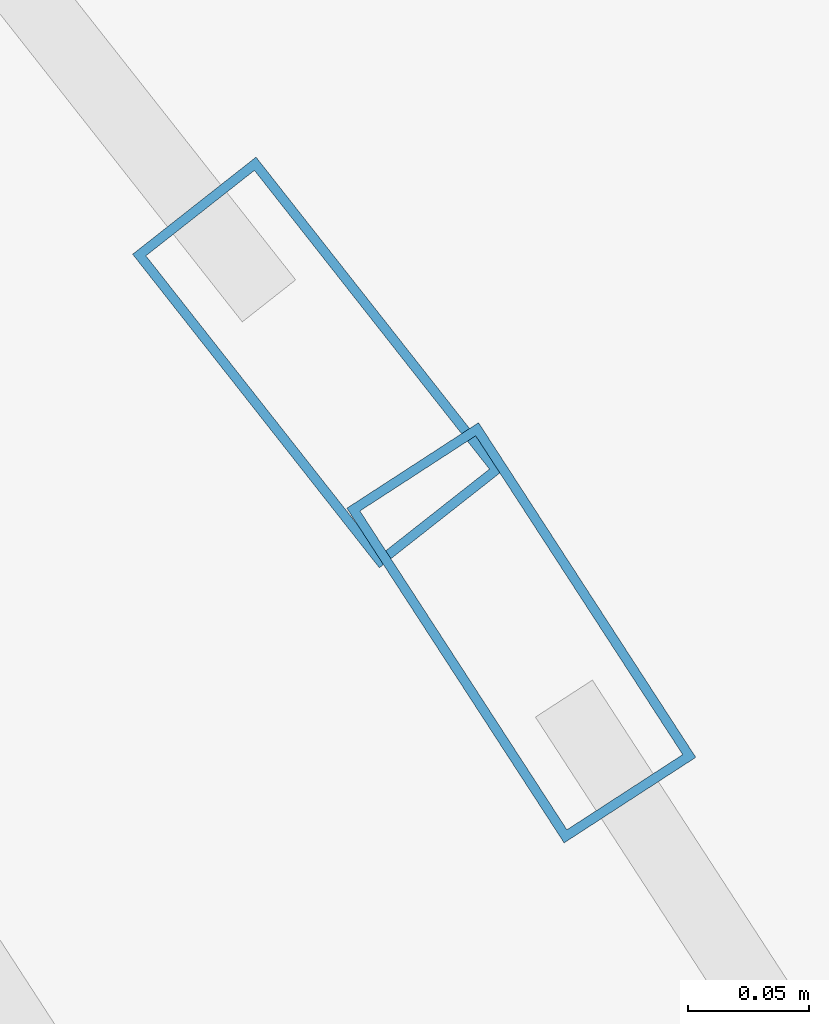
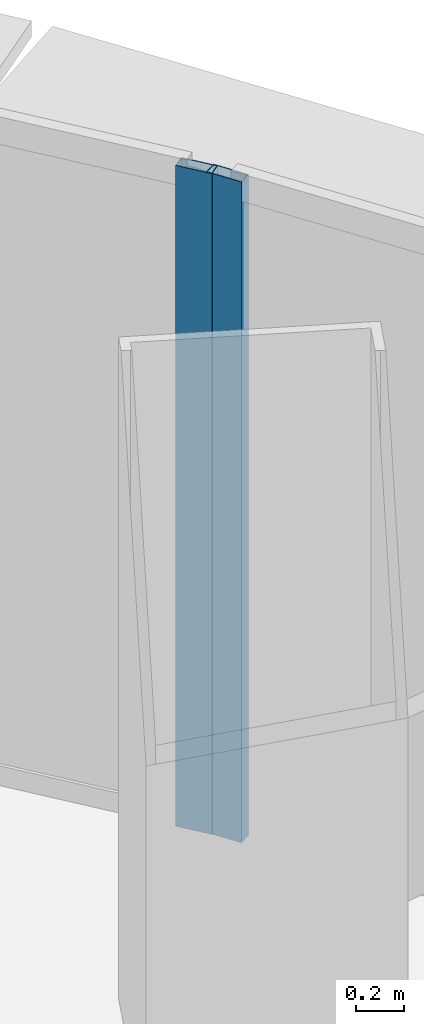
# One storey, part 20 of 42: 2 members, 2 elements without a shape of their own.
"""IFC4 building model written with IfcOpenShell, lengths in metres."""

from ifc_helpers import new_model, si_unit, direction, frame, origin, origin_2d, place, context, subcontext, project, spatial, hollow_rectangle, extrude, source, transform, mapped, material, layer, layer_set, material_profile, profile_set, type_object, element, aggregate, save


model = new_model("IFC4")

# Units and contexts
model_context = context("Model", 3, precision=1e-05, world=origin(), true_north=direction((0.0, 1.0)))
body_context = subcontext(model_context, "Body", "Model", "MODEL_VIEW")
ifc_project = project(units=[si_unit("LENGTHUNIT", "METRE"), si_unit("AREAUNIT", "SQUARE_METRE"), si_unit("VOLUMEUNIT", "CUBIC_METRE"), si_unit("PLANEANGLEUNIT", "RADIAN"), si_unit("MASSUNIT", "GRAM", prefix="KILO"), si_unit("THERMODYNAMICTEMPERATUREUNIT", "KELVIN"), si_unit("POWERUNIT", "WATT")], contexts=[model_context])

# Site, building, storey
site_placement = place(None, origin())
site = spatial("IfcSite", under=ifc_project, at=site_placement, CompositionType="ELEMENT")
building_placement = place(site_placement, origin())
building = spatial("IfcBuilding", under=site, at=building_placement, Name="Yunzhuo Pagoda Commons", CompositionType="ELEMENT")
storey_placement = place(building_placement, frame((0.0, 0.0, 48.550048828125)))
storey = spatial("IfcBuildingStorey", under=building, at=storey_placement, Name="L12", CompositionType="ELEMENT", Elevation=48.550048828125)

# Curtain wall, member
ifc_material = material(Name="Anodized aluminium 6063-T6", Category="aluminium")
ifc_layer = layer(ifc_material, 0.1650390625)
ifc_layer_set = layer_set([ifc_layer], Name="Anodized aluminium 6063-T6")
curtain_wall_type = type_object("IfcCurtainWallType", Name="CW-LOW Low-Zone Ribbon Curtain Wall", PredefinedType="NOTDEFINED", material=ifc_layer_set)
curtain_wall_1_placement = place(storey_placement, origin())
curtain_wall_1 = element("IfcCurtainWall", 1, at=curtain_wall_1_placement, inside=storey, type_object=curtain_wall_type, Name="L12 curtain wall CW-L12-F2B4", PredefinedType="NOTDEFINED")
ifc_material_profile = material_profile(ifc_material, hollow_rectangle(XDim=0.06494140625, YDim=0.1650390625, WallThickness=0.00390625, at=origin_2d()), Name="Anodized aluminium 6063-T6")
ifc_profile_set = profile_set([ifc_material_profile], Name="Anodized aluminium 6063-T6")
member_type = type_object("IfcMemberType", Name="CW-LOW-M Mullion RHS 165x65x4", PredefinedType="MULLION", material=ifc_profile_set)
shared_shape = source(origin(), body_context, "Body", "SweptSolid", [
    extrude(hollow_rectangle(XDim=0.06494140625, YDim=0.1650390625, WallThickness=0.00390625, at=origin_2d()), origin(), (0.0, 0.0, 1.0), 3.369873046875),
])
member_1_placement = place(storey_placement, frame((65.3232421875, 72.54150390625, 0.0), z_axis=(0.0, 0.0, 1.0), x_axis=(-0.838709783089, -0.54457864423, 0.0)))
member_1 = element("IfcMember", 2, at=member_1_placement, type_object=member_type, Name="CW mullion 2", PredefinedType="MULLION", context=body_context, shape_type="MappedRepresentation", body=[
    mapped(shared_shape, transform((0.0, 0.0, 0.0), scale=1.0)),
])
aggregate(curtain_wall_1, [member_1])

curtain_wall_2_placement = place(storey_placement, origin())
curtain_wall_2 = element("IfcCurtainWall", 3, at=curtain_wall_2_placement, inside=storey, type_object=curtain_wall_type, Name="L12 curtain wall CW-L12-F2B5", PredefinedType="NOTDEFINED")
member_2_placement = place(storey_placement, frame((65.239013671875, 72.6533203125, 0.0), z_axis=(0.0, 0.0, 1.0), x_axis=(-0.785883026265, -0.61837518468, 0.0)))
member_2 = element("IfcMember", 4, at=member_2_placement, type_object=member_type, Name="CW mullion 1", PredefinedType="MULLION", context=body_context, shape_type="MappedRepresentation", body=[
    mapped(shared_shape, transform((0.0, 0.0, 0.0), scale=1.0)),
])
aggregate(curtain_wall_2, [member_2])

save(model, "model.ifc")
